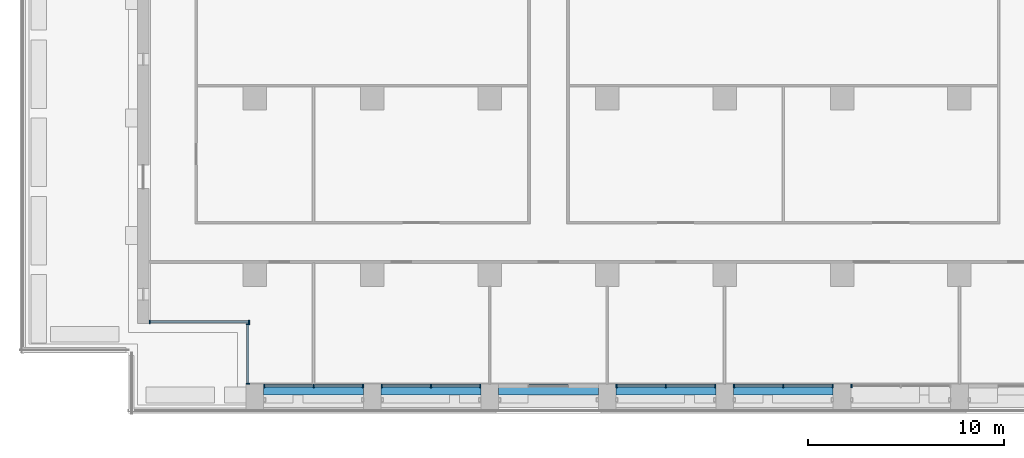
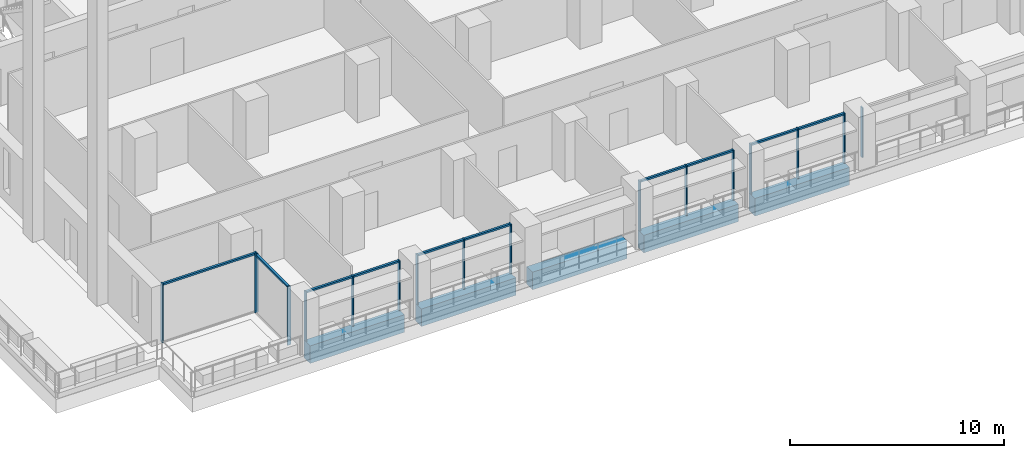
# One storey, part 2 of 19: 27 members, 5 beams, 7 elements without a shape of their own.
"""IFC4 building model written with IfcOpenShell, lengths in metres."""

from ifc_helpers import new_model, si_unit, direction, frame, origin, origin_2d, place, context, subcontext, project, spatial, rectangle, extrude, material, material_profile, profile_set, type_object, element, aggregate, save


model = new_model("IFC4")

# Units and contexts
model_context = context("Model", 3, precision=1e-05, world=origin(), true_north=direction((0.0, 1.0)))
body_context = subcontext(model_context, "Body", "Model", "MODEL_VIEW")
ifc_project = project(units=[si_unit("LENGTHUNIT", "METRE"), si_unit("AREAUNIT", "SQUARE_METRE"), si_unit("VOLUMEUNIT", "CUBIC_METRE"), si_unit("PLANEANGLEUNIT", "RADIAN"), si_unit("MASSUNIT", "GRAM", prefix="KILO")], contexts=[model_context])

# Site, building, storey
site_placement = place(None, origin())
site = spatial("IfcSite", under=ifc_project, at=site_placement, CompositionType="ELEMENT")
building_placement = place(site_placement, origin())
building = spatial("IfcBuilding", under=site, at=building_placement, Name="Calvaro Tower", CompositionType="ELEMENT")
storey_placement = place(building_placement, frame((0.0, 0.0, 166.75)))
storey = spatial("IfcBuildingStorey", under=building, at=storey_placement, Name="L41", CompositionType="ELEMENT", Elevation=166.75)

# Curtain wall, members
ifc_material_1 = material(Name="Anodised aluminium", Category="aluminium")
curtain_wall_type = type_object("IfcCurtainWallType", Name="Office curtain wall, upper zone", PredefinedType="NOTDEFINED", material=ifc_material_1)
curtain_wall_1_placement = place(storey_placement, origin())
curtain_wall_1 = element("IfcCurtainWall", 1, at=curtain_wall_1_placement, inside=storey, type_object=curtain_wall_type, Name="CW3 south curtain wall", PredefinedType="NOTDEFINED")
ifc_material_2 = material(Name="Anodised aluminium", Category="aluminium")
ifc_material_profile_1 = material_profile(ifc_material_2, rectangle(XDim=0.179931640625, YDim=0.06005859375, at=origin_2d()), Name="Mullion S3 60 x 180")
ifc_profile_set_1 = profile_set([ifc_material_profile_1], Name="Anodised aluminium")
member_type_1 = type_object("IfcMemberType", Name="Mullion S3 60 x 180", PredefinedType="MULLION", material=ifc_profile_set_1)
member_1_placement = place(storey_placement, frame((12.47998046875, 4.31005859375, 0.0), z_axis=(0.0, 0.0, 1.0), x_axis=(0.0, 1.0, 0.0)))
member_1 = element("IfcMember", 2, at=member_1_placement, type_object=member_type_1, Name="CW3 mullion 1", PredefinedType="MULLION", context=body_context, shape_type="SweptSolid", body=[
    extrude(rectangle(XDim=0.179931640625, YDim=0.06005859375, at=origin_2d()), origin(), (0.0, 0.0, 1.0), 2.85009765625),
])
member_2_placement = place(storey_placement, frame((15.0, 4.31005859375, 0.0), z_axis=(0.0, 0.0, 1.0), x_axis=(0.0, 1.0, 0.0)))
member_2 = element("IfcMember", 3, at=member_2_placement, type_object=member_type_1, Name="CW3 mullion 2", PredefinedType="MULLION", context=body_context, shape_type="SweptSolid", body=[
    extrude(rectangle(XDim=0.179931640625, YDim=0.06005859375, at=origin_2d()), origin(), (0.0, 0.0, 1.0), 2.85009765625),
])
member_3_placement = place(storey_placement, frame((17.52001953125, 4.31005859375, 0.0), z_axis=(0.0, 0.0, 1.0), x_axis=(0.0, 1.0, 0.0)))
member_3 = element("IfcMember", 4, at=member_3_placement, type_object=member_type_1, Name="CW3 mullion 3", PredefinedType="MULLION", context=body_context, shape_type="SweptSolid", body=[
    extrude(rectangle(XDim=0.179931640625, YDim=0.06005859375, at=origin_2d()), origin(), (0.0, 0.0, 1.0), 2.85009765625),
])

curtain_wall_2_placement = place(storey_placement, origin())
curtain_wall_2 = element("IfcCurtainWall", 5, at=curtain_wall_2_placement, inside=storey, type_object=curtain_wall_type, Name="CW3 south curtain wall", PredefinedType="NOTDEFINED")
member_4_placement = place(storey_placement, frame((18.47998046875, 4.31005859375, 0.0), z_axis=(0.0, 0.0, 1.0), x_axis=(0.0, 1.0, 0.0)))
member_4 = element("IfcMember", 6, at=member_4_placement, type_object=member_type_1, Name="CW3 mullion 1", PredefinedType="MULLION", context=body_context, shape_type="SweptSolid", body=[
    extrude(rectangle(XDim=0.179931640625, YDim=0.06005859375, at=origin_2d()), origin(), (0.0, 0.0, 1.0), 2.85009765625),
])
member_5_placement = place(storey_placement, frame((21.0, 4.31005859375, 0.0), z_axis=(0.0, 0.0, 1.0), x_axis=(0.0, 1.0, 0.0)))
member_5 = element("IfcMember", 7, at=member_5_placement, type_object=member_type_1, Name="CW3 mullion 2", PredefinedType="MULLION", context=body_context, shape_type="SweptSolid", body=[
    extrude(rectangle(XDim=0.179931640625, YDim=0.06005859375, at=origin_2d()), origin(), (0.0, 0.0, 1.0), 2.85009765625),
])
member_6_placement = place(storey_placement, frame((23.52001953125, 4.31005859375, 0.0), z_axis=(0.0, 0.0, 1.0), x_axis=(0.0, 1.0, 0.0)))
member_6 = element("IfcMember", 8, at=member_6_placement, type_object=member_type_1, Name="CW3 mullion 3", PredefinedType="MULLION", context=body_context, shape_type="SweptSolid", body=[
    extrude(rectangle(XDim=0.179931640625, YDim=0.06005859375, at=origin_2d()), origin(), (0.0, 0.0, 1.0), 2.85009765625),
])

curtain_wall_3_placement = place(storey_placement, origin())
curtain_wall_3 = element("IfcCurtainWall", 9, at=curtain_wall_3_placement, inside=storey, type_object=curtain_wall_type, Name="CW3 south curtain wall", PredefinedType="NOTDEFINED")
member_7_placement = place(storey_placement, frame((30.47998046875, 4.31005859375, 0.0), z_axis=(0.0, 0.0, 1.0), x_axis=(0.0, 1.0, 0.0)))
member_7 = element("IfcMember", 10, at=member_7_placement, type_object=member_type_1, Name="CW3 mullion 1", PredefinedType="MULLION", context=body_context, shape_type="SweptSolid", body=[
    extrude(rectangle(XDim=0.179931640625, YDim=0.06005859375, at=origin_2d()), origin(), (0.0, 0.0, 1.0), 2.85009765625),
])
member_8_placement = place(storey_placement, frame((33.0, 4.31005859375, 0.0), z_axis=(0.0, 0.0, 1.0), x_axis=(0.0, 1.0, 0.0)))
member_8 = element("IfcMember", 11, at=member_8_placement, type_object=member_type_1, Name="CW3 mullion 2", PredefinedType="MULLION", context=body_context, shape_type="SweptSolid", body=[
    extrude(rectangle(XDim=0.179931640625, YDim=0.06005859375, at=origin_2d()), origin(), (0.0, 0.0, 1.0), 2.85009765625),
])
member_9_placement = place(storey_placement, frame((35.52001953125, 4.31005859375, 0.0), z_axis=(0.0, 0.0, 1.0), x_axis=(0.0, 1.0, 0.0)))
member_9 = element("IfcMember", 12, at=member_9_placement, type_object=member_type_1, Name="CW3 mullion 3", PredefinedType="MULLION", context=body_context, shape_type="SweptSolid", body=[
    extrude(rectangle(XDim=0.179931640625, YDim=0.06005859375, at=origin_2d()), origin(), (0.0, 0.0, 1.0), 2.85009765625),
])

curtain_wall_4_placement = place(storey_placement, origin())
curtain_wall_4 = element("IfcCurtainWall", 13, at=curtain_wall_4_placement, inside=storey, type_object=curtain_wall_type, Name="CW3 south curtain wall", PredefinedType="NOTDEFINED")
member_10_placement = place(storey_placement, frame((36.47998046875, 4.31005859375, 0.0), z_axis=(0.0, 0.0, 1.0), x_axis=(0.0, 1.0, 0.0)))
member_10 = element("IfcMember", 14, at=member_10_placement, type_object=member_type_1, Name="CW3 mullion 1", PredefinedType="MULLION", context=body_context, shape_type="SweptSolid", body=[
    extrude(rectangle(XDim=0.179931640625, YDim=0.06005859375, at=origin_2d()), origin(), (0.0, 0.0, 1.0), 2.85009765625),
])
member_11_placement = place(storey_placement, frame((39.0, 4.31005859375, 0.0), z_axis=(0.0, 0.0, 1.0), x_axis=(0.0, 1.0, 0.0)))
member_11 = element("IfcMember", 15, at=member_11_placement, type_object=member_type_1, Name="CW3 mullion 2", PredefinedType="MULLION", context=body_context, shape_type="SweptSolid", body=[
    extrude(rectangle(XDim=0.179931640625, YDim=0.06005859375, at=origin_2d()), origin(), (0.0, 0.0, 1.0), 2.85009765625),
])
member_12_placement = place(storey_placement, frame((41.52001953125, 4.31005859375, 0.0), z_axis=(0.0, 0.0, 1.0), x_axis=(0.0, 1.0, 0.0)))
member_12 = element("IfcMember", 16, at=member_12_placement, type_object=member_type_1, Name="CW3 mullion 3", PredefinedType="MULLION", context=body_context, shape_type="SweptSolid", body=[
    extrude(rectangle(XDim=0.179931640625, YDim=0.06005859375, at=origin_2d()), origin(), (0.0, 0.0, 1.0), 2.85009765625),
])

# Curtain wall, member
curtain_wall_5_placement = place(storey_placement, origin())
curtain_wall_5 = element("IfcCurtainWall", 17, at=curtain_wall_5_placement, inside=storey, type_object=curtain_wall_type, Name="CW3 south curtain wall", PredefinedType="NOTDEFINED")
member_13_placement = place(storey_placement, frame((42.47998046875, 4.31005859375, 0.0), z_axis=(0.0, 0.0, 1.0), x_axis=(0.0, 1.0, 0.0)))
member_13 = element("IfcMember", 18, at=member_13_placement, type_object=member_type_1, Name="CW3 mullion 1", PredefinedType="MULLION", context=body_context, shape_type="SweptSolid", body=[
    extrude(rectangle(XDim=0.179931640625, YDim=0.06005859375, at=origin_2d()), origin(), (0.0, 0.0, 1.0), 2.85009765625),
])
aggregate(curtain_wall_5, [member_13])

# Curtain wall, members
curtain_wall_6_placement = place(storey_placement, origin())
curtain_wall_6 = element("IfcCurtainWall", 19, at=curtain_wall_6_placement, inside=storey, type_object=curtain_wall_type, Name="CW3 corner curtain wall", PredefinedType="NOTDEFINED")
member_14_placement = place(storey_placement, frame((11.639892578125, 4.429931640625, 0.0), z_axis=(0.0, 0.0, 1.0), x_axis=(-1.0, 0.0, 0.0)))
member_14 = element("IfcMember", 20, at=member_14_placement, type_object=member_type_1, Name="CW3 mullion 1", PredefinedType="MULLION", context=body_context, shape_type="SweptSolid", body=[
    extrude(rectangle(XDim=0.179931640625, YDim=0.06005859375, at=origin_2d()), origin(), (0.0, 0.0, 1.0), 3.35009765625),
])
member_15_placement = place(storey_placement, frame((11.639892578125, 7.469970703125, 0.0), z_axis=(0.0, 0.0, 1.0), x_axis=(-1.0, 0.0, 0.0)))
member_15 = element("IfcMember", 21, at=member_15_placement, type_object=member_type_1, Name="CW3 mullion 2", PredefinedType="MULLION", context=body_context, shape_type="SweptSolid", body=[
    extrude(rectangle(XDim=0.179931640625, YDim=0.06005859375, at=origin_2d()), origin(), (0.0, 0.0, 1.0), 3.35009765625),
])

curtain_wall_7_placement = place(storey_placement, origin())
curtain_wall_7 = element("IfcCurtainWall", 22, at=curtain_wall_7_placement, inside=storey, type_object=curtain_wall_type, Name="CW3 corner curtain wall", PredefinedType="NOTDEFINED")
member_16_placement = place(storey_placement, frame((6.6298828125, 7.590087890625, 0.0), z_axis=(0.0, 0.0, 1.0), x_axis=(0.0, 1.0, 0.0)))
member_16 = element("IfcMember", 23, at=member_16_placement, type_object=member_type_1, Name="CW3 mullion 1", PredefinedType="MULLION", context=body_context, shape_type="SweptSolid", body=[
    extrude(rectangle(XDim=0.179931640625, YDim=0.06005859375, at=origin_2d()), origin(), (0.0, 0.0, 1.0), 3.35009765625),
])
member_17_placement = place(storey_placement, frame((11.699951171875, 7.590087890625, 0.0), z_axis=(0.0, 0.0, 1.0), x_axis=(0.0, 1.0, 0.0)))
member_17 = element("IfcMember", 24, at=member_17_placement, type_object=member_type_1, Name="CW3 mullion 2", PredefinedType="MULLION", context=body_context, shape_type="SweptSolid", body=[
    extrude(rectangle(XDim=0.179931640625, YDim=0.06005859375, at=origin_2d()), origin(), (0.0, 0.0, 1.0), 3.35009765625),
])

# Beams
ifc_material_3 = material(Name="Concrete C50/60 precast", Category="concrete")
ifc_material_profile_2 = material_profile(ifc_material_3, rectangle(XDim=0.550048828125, YDim=1.0, at=origin_2d()), Name="RC 550x1000")
ifc_profile_set_2 = profile_set([ifc_material_profile_2], Name="Concrete C50/60 precast")
beam_type = type_object("IfcBeamType", Name="Spandrel beam 550x1000 C50/60", PredefinedType="SPANDREL", material=ifc_profile_set_2)
for number, where, z_axis, x_axis, name in (
    (25, (12.449951171875, 4.125, -0.5), (1.0, 0.0, 0.0), (0.0, 1.0, 0.0), "Spandrel beam"),
    (26, (18.449951171875, 4.125, -0.5), (1.0, 0.0, 0.0), (0.0, 1.0, 0.0), "Spandrel beam"),
    (27, (24.449951171875, 4.125, -0.5), (1.0, 0.0, 0.0), (0.0, 1.0, 0.0), "Spandrel beam"),
    (28, (30.449951171875, 4.125, -0.5), (1.0, 0.0, 0.0), (0.0, 1.0, 0.0), "Spandrel beam"),
    (29, (36.449951171875, 4.125, -0.5), (1.0, 0.0, 0.0), (0.0, 1.0, 0.0), "Spandrel beam"),
):
    element("IfcBeam", number, at=place(storey_placement, frame(where, z_axis=z_axis, x_axis=x_axis)), inside=storey, type_object=beam_type, Name=name, PredefinedType="SPANDREL", context=body_context, shape_type="SweptSolid", body=[
        extrude(rectangle(XDim=0.550048828125, YDim=1.0, at=origin_2d()), origin(), (0.0, 0.0, 1.0), 5.10009765625),
    ])

# Member
ifc_material_4 = material(Name="Anodised aluminium", Category="aluminium")
ifc_material_profile_3 = material_profile(ifc_material_4, rectangle(XDim=0.1201171875, YDim=0.10009765625, at=origin_2d()), Name="Transom S3 100 x 120")
ifc_profile_set_3 = profile_set([ifc_material_profile_3], Name="Anodised aluminium")
member_type_2 = type_object("IfcMemberType", Name="Transom S3 100 x 120", PredefinedType="USERDEFINED", material=ifc_profile_set_3)
member_18_placement = place(storey_placement, frame((12.510009765625, 4.31005859375, 2.800048828125), z_axis=(1.0, 0.0, 0.0), x_axis=(0.0, 1.0, 0.0)))
member_18 = element("IfcMember", 30, at=member_18_placement, type_object=member_type_2, Name="CW3 transom 1.1", ObjectType="TRANSOM", PredefinedType="USERDEFINED", context=body_context, shape_type="SweptSolid", body=[
    extrude(rectangle(XDim=0.1201171875, YDim=0.10009765625, at=origin_2d()), origin(), (0.0, 0.0, 1.0), 2.4599609375),
])

member_19_placement = place(storey_placement, frame((15.030029296875, 4.31005859375, 2.800048828125), z_axis=(1.0, 0.0, 0.0), x_axis=(0.0, 1.0, 0.0)))
member_19 = element("IfcMember", 31, at=member_19_placement, type_object=member_type_2, Name="CW3 transom 2.1", ObjectType="TRANSOM", PredefinedType="USERDEFINED", context=body_context, shape_type="SweptSolid", body=[
    extrude(rectangle(XDim=0.1201171875, YDim=0.10009765625, at=origin_2d()), origin(), (0.0, 0.0, 1.0), 2.4599609375),
])

aggregate(curtain_wall_1, [member_1, member_2, member_3, member_18, member_19])

member_20_placement = place(storey_placement, frame((18.510009765625, 4.31005859375, 2.800048828125), z_axis=(1.0, 0.0, 0.0), x_axis=(0.0, 1.0, 0.0)))
member_20 = element("IfcMember", 32, at=member_20_placement, type_object=member_type_2, Name="CW3 transom 1.1", ObjectType="TRANSOM", PredefinedType="USERDEFINED", context=body_context, shape_type="SweptSolid", body=[
    extrude(rectangle(XDim=0.1201171875, YDim=0.10009765625, at=origin_2d()), origin(), (0.0, 0.0, 1.0), 2.4599609375),
])

member_21_placement = place(storey_placement, frame((21.030029296875, 4.31005859375, 2.800048828125), z_axis=(1.0, 0.0, 0.0), x_axis=(0.0, 1.0, 0.0)))
member_21 = element("IfcMember", 33, at=member_21_placement, type_object=member_type_2, Name="CW3 transom 2.1", ObjectType="TRANSOM", PredefinedType="USERDEFINED", context=body_context, shape_type="SweptSolid", body=[
    extrude(rectangle(XDim=0.1201171875, YDim=0.10009765625, at=origin_2d()), origin(), (0.0, 0.0, 1.0), 2.4599609375),
])

aggregate(curtain_wall_2, [member_4, member_5, member_6, member_20, member_21])

member_22_placement = place(storey_placement, frame((30.510009765625, 4.31005859375, 2.800048828125), z_axis=(1.0, 0.0, 0.0), x_axis=(0.0, 1.0, 0.0)))
member_22 = element("IfcMember", 34, at=member_22_placement, type_object=member_type_2, Name="CW3 transom 1.1", ObjectType="TRANSOM", PredefinedType="USERDEFINED", context=body_context, shape_type="SweptSolid", body=[
    extrude(rectangle(XDim=0.1201171875, YDim=0.10009765625, at=origin_2d()), origin(), (0.0, 0.0, 1.0), 2.4599609375),
])

member_23_placement = place(storey_placement, frame((33.030029296875, 4.31005859375, 2.800048828125), z_axis=(1.0, 0.0, 0.0), x_axis=(0.0, 1.0, 0.0)))
member_23 = element("IfcMember", 35, at=member_23_placement, type_object=member_type_2, Name="CW3 transom 2.1", ObjectType="TRANSOM", PredefinedType="USERDEFINED", context=body_context, shape_type="SweptSolid", body=[
    extrude(rectangle(XDim=0.1201171875, YDim=0.10009765625, at=origin_2d()), origin(), (0.0, 0.0, 1.0), 2.4599609375),
])

aggregate(curtain_wall_3, [member_7, member_8, member_9, member_22, member_23])

member_24_placement = place(storey_placement, frame((36.510009765625, 4.31005859375, 2.800048828125), z_axis=(1.0, 0.0, 0.0), x_axis=(0.0, 1.0, 0.0)))
member_24 = element("IfcMember", 36, at=member_24_placement, type_object=member_type_2, Name="CW3 transom 1.1", ObjectType="TRANSOM", PredefinedType="USERDEFINED", context=body_context, shape_type="SweptSolid", body=[
    extrude(rectangle(XDim=0.1201171875, YDim=0.10009765625, at=origin_2d()), origin(), (0.0, 0.0, 1.0), 2.4599609375),
])

member_25_placement = place(storey_placement, frame((39.030029296875, 4.31005859375, 2.800048828125), z_axis=(1.0, 0.0, 0.0), x_axis=(0.0, 1.0, 0.0)))
member_25 = element("IfcMember", 37, at=member_25_placement, type_object=member_type_2, Name="CW3 transom 2.1", ObjectType="TRANSOM", PredefinedType="USERDEFINED", context=body_context, shape_type="SweptSolid", body=[
    extrude(rectangle(XDim=0.1201171875, YDim=0.10009765625, at=origin_2d()), origin(), (0.0, 0.0, 1.0), 2.4599609375),
])

aggregate(curtain_wall_4, [member_10, member_11, member_12, member_24, member_25])

member_26_placement = place(storey_placement, frame((11.639892578125, 4.4599609375, 3.300048828125), z_axis=(0.0, 1.0, 0.0), x_axis=(-1.0, 0.0, 0.0)))
member_26 = element("IfcMember", 38, at=member_26_placement, type_object=member_type_2, Name="CW3 transom 1.1", ObjectType="TRANSOM", PredefinedType="USERDEFINED", context=body_context, shape_type="SweptSolid", body=[
    extrude(rectangle(XDim=0.1201171875, YDim=0.10009765625, at=origin_2d()), origin(), (0.0, 0.0, 1.0), 2.97998046875),
])

aggregate(curtain_wall_6, [member_14, member_15, member_26])

member_27_placement = place(storey_placement, frame((6.659912109375, 7.590087890625, 3.300048828125), z_axis=(1.0, 0.0, 0.0), x_axis=(0.0, 1.0, 0.0)))
member_27 = element("IfcMember", 39, at=member_27_placement, type_object=member_type_2, Name="CW3 transom 1.1", ObjectType="TRANSOM", PredefinedType="USERDEFINED", context=body_context, shape_type="SweptSolid", body=[
    extrude(rectangle(XDim=0.1201171875, YDim=0.10009765625, at=origin_2d()), origin(), (0.0, 0.0, 1.0), 5.010009765625),
])

aggregate(curtain_wall_7, [member_16, member_17, member_27])

save(model, "model.ifc")
